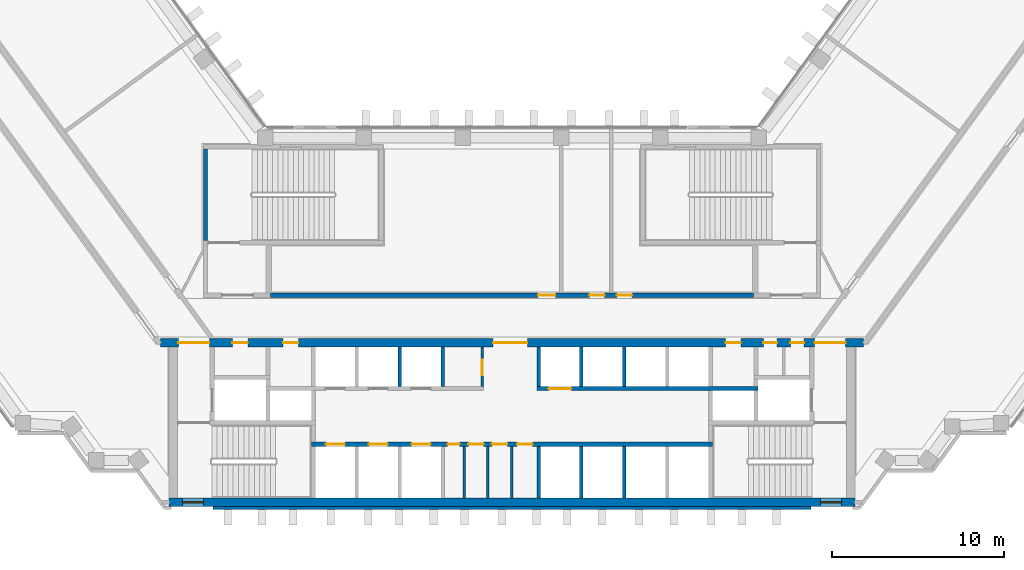
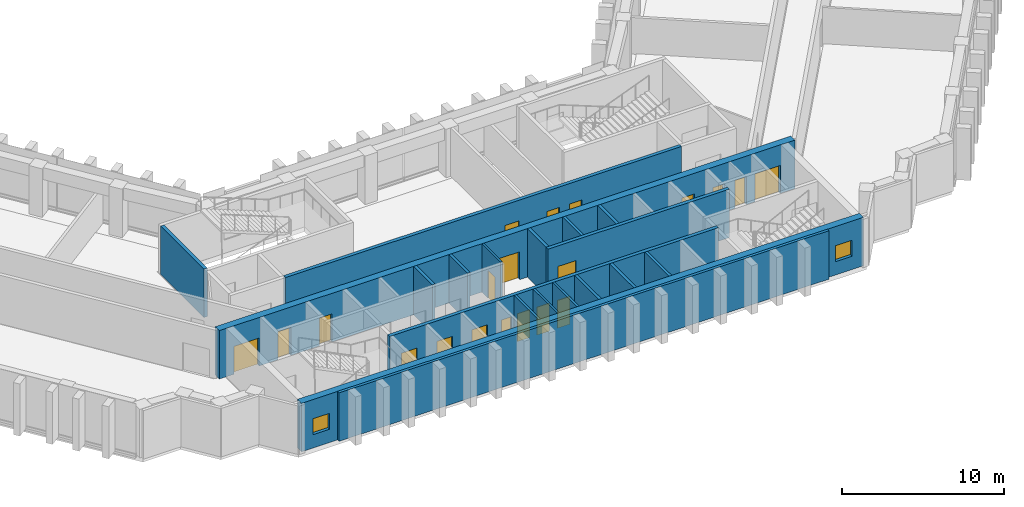
# One storey, part 6 of 12: 20 doors, 19 walls, 2 windows, 22 openings.
"""IFC4 building model written with IfcOpenShell, lengths in metres."""

import ifcopenshell
import ifcopenshell.guid

model = None  # the IFC model being written
_history = None  # IfcOwnerHistory: only IFC2X3 demands one
_inside = {}  # id of a spatial element -> (the spatial element, [elements in it])
_under = {}  # id of a project, library or spatial element -> (it, [spatial elements below it])
_declared = {}  # id of a project -> (the project, [libraries it declares])
_typed = {}  # id of a type object -> (the type object, [elements of that type])
_made_of = {}  # id of a material, layer set ... -> (it, [elements and type objects made of it])


def new_model(schema):
    """Start an empty IFC model of exactly this schema.

    Asked for "IFC4X3", IfcOpenShell would pick the latest addendum, in which some entities
    have other attributes; the version numbers below select the first issue.
    IFC2X3 requires an IfcOwnerHistory on every rooted entity: one is made here for all.
    """
    global model, _history
    if schema == "IFC4X3":
        model = ifcopenshell.file(schema_version=(4, 3, 0, 0))
    else:
        model = ifcopenshell.file(schema=schema)
    _inside.clear()
    _under.clear()
    _declared.clear()
    _typed.clear()
    _made_of.clear()
    _history = None
    if model.schema == "IFC2X3":
        org = make("IfcOrganization", Name="unknown")
        user = make(
            "IfcPersonAndOrganization",
            ThePerson=make("IfcPerson", FamilyName="unknown"),
            TheOrganization=org,
        )
        app = make(
            "IfcApplication",
            ApplicationDeveloper=org,
            Version="unknown",
            ApplicationFullName="unknown",
            ApplicationIdentifier="unknown",
        )
        _history = make(
            "IfcOwnerHistory",
            OwningUser=user,
            OwningApplication=app,
            ChangeAction="ADDED",
            CreationDate=0,
        )
    return model


def make(cls, **values):
    """One entity of the class cls with the attributes given. An attribute that is None is left unset."""
    return model.create_entity(
        cls, **{name: value for name, value in values.items() if value is not None}
    )


def rooted(cls, **values):
    """An entity with a GlobalId (a new one), such as an element, a storey or a relation."""
    return make(cls, GlobalId=ifcopenshell.guid.new(), OwnerHistory=_history, **values)


def si_unit(unit_type, name, prefix=None):
    """IfcSIUnit, for example si_unit("LENGTHUNIT", "METRE", prefix="MILLI")."""
    return make("IfcSIUnit", UnitType=unit_type, Prefix=prefix, Name=name)


def assignment(units):
    """IfcUnitAssignment: the units of a project."""
    return None if units is None else make("IfcUnitAssignment", Units=units)


def point(xyz):
    """IfcCartesianPoint."""
    return None if xyz is None else make("IfcCartesianPoint", Coordinates=xyz)


def direction(xyz):
    """IfcDirection."""
    return None if xyz is None else make("IfcDirection", DirectionRatios=xyz)


def frame(location, z_axis=None, x_axis=None):
    """IfcAxis2Placement3D, a coordinate frame: its origin and axes. An axis left out is left unset."""
    return make(
        "IfcAxis2Placement3D",
        Location=point(location),
        Axis=direction(z_axis),
        RefDirection=direction(x_axis),
    )


def frame_2d(location, x_axis=None):
    """IfcAxis2Placement2D, a coordinate frame in the plane: its origin and x axis."""
    return make(
        "IfcAxis2Placement2D", Location=point(location), RefDirection=direction(x_axis)
    )


def origin():
    """The frame at (0, 0, 0) with its axes left unset."""
    return frame((0.0, 0.0, 0.0))


def place(relative_to, where):
    """IfcLocalPlacement: puts the frame where relative to a parent placement (None: the world)."""
    return make(
        "IfcLocalPlacement", PlacementRelTo=relative_to, RelativePlacement=where
    )


def context(
    kind, dimensions, precision=None, world=None, true_north=None, identifier=None
):
    """IfcGeometricRepresentationContext, for example the 3D "Model" context."""
    return make(
        "IfcGeometricRepresentationContext",
        ContextIdentifier=identifier,
        ContextType=kind,
        CoordinateSpaceDimension=dimensions,
        Precision=precision,
        WorldCoordinateSystem=world,
        TrueNorth=true_north,
    )


def subcontext(parent, identifier, kind, view, scale=None):
    """IfcGeometricRepresentationSubContext, for example "Body" below "Model"."""
    return make(
        "IfcGeometricRepresentationSubContext",
        ContextIdentifier=identifier,
        ContextType=kind,
        ParentContext=parent,
        TargetScale=scale,
        TargetView=view,
    )


def project(units=None, contexts=None):
    """IfcProject with its units and contexts."""
    return rooted(
        "IfcProject",
        Name="project",
        RepresentationContexts=contexts,
        UnitsInContext=assignment(units),
    )


def spatial(cls, under=None, at=None, **own):
    """A site, building, storey or space (cls), placed at a placement, below another one or the project."""
    s = rooted(cls, ObjectPlacement=at, **own)
    if under is not None:
        _under.setdefault(under.id(), (under, []))[1].append(s)
    return s


def profile(cls, at=None, kind="AREA", **sizes):
    """A parametric profile (cls). Its sizes go by their IFC names, for example OverallWidth=200.0."""
    return make(cls, ProfileType=kind, Position=at, **sizes)


def rectangle(**sizes):
    """IfcRectangleProfileDef."""
    return profile("IfcRectangleProfileDef", **sizes)


def extrude(swept, where, along, depth):
    """IfcExtrudedAreaSolid: the profile swept, set in the frame where, extruded along a direction by depth."""
    return make(
        "IfcExtrudedAreaSolid",
        SweptArea=swept,
        Position=where,
        ExtrudedDirection=direction(along),
        Depth=depth,
    )


def shape(context_of_items, identifier, shape_type, items):
    """IfcShapeRepresentation: the items that make up one representation, for example the "Body"."""
    return make(
        "IfcShapeRepresentation",
        ContextOfItems=context_of_items,
        RepresentationIdentifier=identifier,
        RepresentationType=shape_type,
        Items=items,
    )


def material(Name=None, Category=None):
    """IfcMaterial."""
    return make("IfcMaterial", Name=Name, Category=Category)


def layer(
    of_material, thickness, ventilated=None, Name=None, Category=None, Priority=None
):
    """IfcMaterialLayer: one layer of a wall or slab, of a material (None: an air gap)."""
    return make(
        "IfcMaterialLayer",
        Material=of_material,
        LayerThickness=thickness,
        IsVentilated=ventilated,
        Name=Name,
        Category=Category,
        Priority=Priority,
    )


def layer_set(layers, Name=None):
    """IfcMaterialLayerSet."""
    return make("IfcMaterialLayerSet", MaterialLayers=layers, LayerSetName=Name)


def made_of(thing, what):
    """Note that an element or type object is made of a material, layer set ...; save() writes the relation."""
    if what is not None:
        _made_of.setdefault(what.id(), (what, []))[1].append(thing)
    return thing


def type_object(cls, material=None, **own):
    """A type object (cls), such as IfcWallType, which elements share."""
    return made_of(rooted(cls, **own), material)


def element(
    cls,
    number,
    at=None,
    inside=None,
    cuts=None,
    type_object=None,
    material=None,
    context=None,
    identifier="Body",
    shape_type=None,
    held_by="IfcProductDefinitionShape",
    body=None,
    shapes=None,
    **own,
):
    """One element of the class cls, such as IfcWall. Its Tag is "e" and its number.

    at: its placement. inside: the storey or other place that contains it. cuts: it is an
    opening in that element (IfcRelVoidsElement). A single representation is given by context,
    identifier, shape_type and body (its items); several are given by shapes. held_by: the class
    of the entity that holds the representations. save() writes the other relations.
    """
    e = rooted(cls, Tag="e%d" % number, ObjectPlacement=at, **own)
    if body is not None:
        shapes = [shape(context, identifier, shape_type, body)]
    if shapes is not None:
        e.Representation = make(held_by, Representations=shapes)
    if inside is not None:
        _inside.setdefault(inside.id(), (inside, []))[1].append(e)
    if cuts is not None:
        rooted(
            "IfcRelVoidsElement", RelatingBuildingElement=cuts, RelatedOpeningElement=e
        )
    if type_object is not None:
        _typed.setdefault(type_object.id(), (type_object, []))[1].append(e)
    return made_of(e, material)


def fill(opening, filler):
    """IfcRelFillsElement: the door or window that sits in an opening."""
    return rooted(
        "IfcRelFillsElement",
        RelatingOpeningElement=opening,
        RelatedBuildingElement=filler,
    )


def aggregate(whole, parts):
    """IfcRelAggregates: a whole, such as a stair, and the parts it consists of."""
    return rooted("IfcRelAggregates", RelatingObject=whole, RelatedObjects=parts)


def save(model, path):
    """Write the relations noted so far, then the file.

    IfcRelAggregates (storeys below a building ...), IfcRelContainedInSpatialStructure (elements
    in a storey), IfcRelDefinesByType, IfcRelAssociatesMaterial and IfcRelDeclares: one each for
    every whole, place, type object, material and project.
    """
    for whole, parts in _under.values():
        aggregate(whole, parts)
    for where, things in _inside.values():
        rooted(
            "IfcRelContainedInSpatialStructure",
            RelatedElements=things,
            RelatingStructure=where,
        )
    for kind, things in _typed.values():
        rooted("IfcRelDefinesByType", RelatedObjects=things, RelatingType=kind)
    for what, things in _made_of.values():
        rooted("IfcRelAssociatesMaterial", RelatedObjects=things, RelatingMaterial=what)
    for by, libraries in _declared.values():
        rooted("IfcRelDeclares", RelatingContext=by, RelatedDefinitions=libraries)
    model.write(path)


model = new_model("IFC4")

# Units and contexts
model_context = context("Model", 3, precision=1e-05, world=origin(), true_north=direction((0.0, 1.0)))
body_context = subcontext(model_context, "Body", "Model", "MODEL_VIEW")
ifc_project = project(units=[si_unit("LENGTHUNIT", "METRE"), si_unit("AREAUNIT", "SQUARE_METRE"), si_unit("VOLUMEUNIT", "CUBIC_METRE"), si_unit("PLANEANGLEUNIT", "RADIAN"), si_unit("MASSUNIT", "GRAM", prefix="KILO")], contexts=[model_context])

# Site, building, storey
site_placement = place(None, origin())
site = spatial("IfcSite", under=ifc_project, at=site_placement, CompositionType="ELEMENT")
building_placement = place(site_placement, origin())
building = spatial("IfcBuilding", under=site, at=building_placement, Name="Quipu Civic Tower", CompositionType="ELEMENT")
storey_placement = place(building_placement, frame((0.0, 0.0, 121.0)))
storey = spatial("IfcBuildingStorey", under=building, at=storey_placement, Name="L28", CompositionType="ELEMENT", Elevation=121.0)

# Wall, openings, doors
ifc_material_1 = material(Name="Concrete C70/85", Category="concrete")
ifc_layer_1 = layer(ifc_material_1, 0.25)
ifc_layer_set_1 = layer_set([ifc_layer_1], Name="Concrete C70/85")
wall_type_1 = type_object("IfcWallType", Name="Core wall 250", PredefinedType="SHEAR", material=ifc_layer_set_1)
wall_1_placement = place(storey_placement, frame((11.699951171875, -7.375, 0.0), z_axis=(0.0, 0.0, 1.0), x_axis=(-1.0, 0.0, 0.0)))
wall_1 = element("IfcWall", 1, at=wall_1_placement, inside=storey, type_object=wall_type_1, Name="Core wall", PredefinedType="SHEAR", context=body_context, shape_type="SweptSolid", body=[
    extrude(rectangle(XDim=23.39990234375, YDim=0.25, at=frame_2d((11.699951171875, 0.0))), origin(), (0.0, 0.0, 1.0), 3.64990234375),
])
opening_1_placement = place(wall_1_placement, frame((21.449951171875, 0.0, 0.0)))
opening_1 = element("IfcOpeningElement", 2, at=opening_1_placement, cuts=wall_1, Name="Opening LD-LL1", PredefinedType="OPENING", context=body_context, shape_type="SweptSolid", body=[
    extrude(rectangle(XDim=1.10009765625, YDim=2.10009765625, at=frame_2d((0.550048828125, 1.050048828125))), frame((0.0, 0.135009765625, 0.0), z_axis=(0.0, -1.0, 0.0), x_axis=(1.0, 0.0, 0.0)), (0.0, 0.0, 1.0), 0.27001953125),
])
opening_2_placement = place(wall_1_placement, frame((18.949951171875, 0.0, 0.0)))
opening_2 = element("IfcOpeningElement", 3, at=opening_2_placement, cuts=wall_1, Name="Opening LD-LL2", PredefinedType="OPENING", context=body_context, shape_type="SweptSolid", body=[
    extrude(rectangle(XDim=1.10009765625, YDim=2.10009765625, at=frame_2d((0.550048828125, 1.050048828125))), frame((0.0, 0.135009765625, 0.0), z_axis=(0.0, -1.0, 0.0), x_axis=(1.0, 0.0, 0.0)), (0.0, 0.0, 1.0), 0.27001953125),
])
opening_3_placement = place(wall_1_placement, frame((16.449951171875, 0.0, 0.0)))
opening_3 = element("IfcOpeningElement", 4, at=opening_3_placement, cuts=wall_1, Name="Opening LD-LL3", PredefinedType="OPENING", context=body_context, shape_type="SweptSolid", body=[
    extrude(rectangle(XDim=1.10009765625, YDim=2.10009765625, at=frame_2d((0.550048828125, 1.050048828125))), frame((0.0, 0.135009765625, 0.0), z_axis=(0.0, -1.0, 0.0), x_axis=(1.0, 0.0, 0.0)), (0.0, 0.0, 1.0), 0.27001953125),
])
opening_4_placement = place(wall_1_placement, frame((14.75, 0.0, 0.0)))
opening_4 = element("IfcOpeningElement", 5, at=opening_4_placement, cuts=wall_1, Name="Opening CD-01", PredefinedType="OPENING", context=body_context, shape_type="SweptSolid", body=[
    extrude(rectangle(XDim=0.699951171875, YDim=2.10009765625, at=frame_2d((0.35009765625, 1.050048828125))), frame((0.0, 0.135009765625, 0.0), z_axis=(0.0, -1.0, 0.0), x_axis=(1.0, 0.0, 0.0)), (0.0, 0.0, 1.0), 0.27001953125),
])
opening_5_placement = place(wall_1_placement, frame((13.35009765625, 0.0, 0.0)))
opening_5 = element("IfcOpeningElement", 6, at=opening_5_placement, cuts=wall_1, Name="Opening CD-02", PredefinedType="OPENING", context=body_context, shape_type="SweptSolid", body=[
    extrude(rectangle(XDim=0.89990234375, YDim=2.10009765625, at=frame_2d((0.449951171875, 1.050048828125))), frame((0.0, 0.135009765625, 0.0), z_axis=(0.0, -1.0, 0.0), x_axis=(1.0, 0.0, 0.0)), (0.0, 0.0, 1.0), 0.27001953125),
])
opening_6_placement = place(wall_1_placement, frame((11.97509765625, 0.0, 0.0)))
opening_6 = element("IfcOpeningElement", 7, at=opening_6_placement, cuts=wall_1, Name="Opening CD-03", PredefinedType="OPENING", context=body_context, shape_type="SweptSolid", body=[
    extrude(rectangle(XDim=0.89990234375, YDim=2.10009765625, at=frame_2d((0.449951171875, 1.050048828125))), frame((0.0, 0.135009765625, 0.0), z_axis=(0.0, -1.0, 0.0), x_axis=(1.0, 0.0, 0.0)), (0.0, 0.0, 1.0), 0.27001953125),
])
opening_7_placement = place(wall_1_placement, frame((10.5, 0.0, 0.0)))
opening_7 = element("IfcOpeningElement", 8, at=opening_7_placement, cuts=wall_1, Name="Opening CD-04", PredefinedType="OPENING", context=body_context, shape_type="SweptSolid", body=[
    extrude(rectangle(XDim=0.89990234375, YDim=2.10009765625, at=frame_2d((0.449951171875, 1.050048828125))), frame((0.0, 0.135009765625, 0.0), z_axis=(0.0, -1.0, 0.0), x_axis=(1.0, 0.0, 0.0)), (0.0, 0.0, 1.0), 0.27001953125),
])
ifc_material_2 = material(Name="Fire rated steel door", Category="steel")
door_type_1 = type_object("IfcDoorType", Name="Fire door FD60 700 x 2100", OperationType="NOTDEFINED", PredefinedType="DOOR", material=ifc_material_2)
door_1_placement = place(opening_4_placement, origin())
door_1 = element("IfcDoor", 9, at=door_1_placement, inside=storey, type_object=door_type_1, Name="Door", OperationType="SINGLE_SWING_RIGHT", OverallHeight=2.10009765625, OverallWidth=0.699951171875, PredefinedType="DOOR", context=body_context, shape_type="SweptSolid", body=[
    extrude(rectangle(XDim=0.699951171875, YDim=2.10009765625, at=frame_2d((0.35009765625, 1.050048828125))), frame((0.0, 0.02490234375, 0.0), z_axis=(0.0, -1.0, 0.0), x_axis=(1.0, 0.0, 0.0)), (0.0, 0.0, 1.0), 0.050048828125),
])
fill(opening_4, door_1)
ifc_material_3 = material(Name="Fire rated steel door", Category="steel")
door_type_2 = type_object("IfcDoorType", Name="Fire door FD60 900 x 2100", OperationType="NOTDEFINED", PredefinedType="DOOR", material=ifc_material_3)
door_2_placement = place(opening_5_placement, origin())
door_2 = element("IfcDoor", 10, at=door_2_placement, inside=storey, type_object=door_type_2, Name="WC door", OperationType="SINGLE_SWING_RIGHT", OverallHeight=2.10009765625, OverallWidth=0.89990234375, PredefinedType="DOOR", context=body_context, shape_type="SweptSolid", body=[
    extrude(rectangle(XDim=0.89990234375, YDim=2.10009765625, at=frame_2d((0.449951171875, 1.050048828125))), frame((0.0, 0.02490234375, 0.0), z_axis=(0.0, -1.0, 0.0), x_axis=(1.0, 0.0, 0.0)), (0.0, 0.0, 1.0), 0.050048828125),
])
fill(opening_5, door_2)
door_3_placement = place(opening_6_placement, origin())
door_3 = element("IfcDoor", 11, at=door_3_placement, inside=storey, type_object=door_type_2, Name="WC door", OperationType="SINGLE_SWING_RIGHT", OverallHeight=2.10009765625, OverallWidth=0.89990234375, PredefinedType="DOOR", context=body_context, shape_type="SweptSolid", body=[
    extrude(rectangle(XDim=0.89990234375, YDim=2.10009765625, at=frame_2d((0.449951171875, 1.050048828125))), frame((0.0, 0.02490234375, 0.0), z_axis=(0.0, -1.0, 0.0), x_axis=(1.0, 0.0, 0.0)), (0.0, 0.0, 1.0), 0.050048828125),
])
fill(opening_6, door_3)
door_4_placement = place(opening_7_placement, origin())
door_4 = element("IfcDoor", 12, at=door_4_placement, inside=storey, type_object=door_type_2, Name="WC door", OperationType="SINGLE_SWING_LEFT", OverallHeight=2.10009765625, OverallWidth=0.89990234375, PredefinedType="DOOR", context=body_context, shape_type="SweptSolid", body=[
    extrude(rectangle(XDim=0.89990234375, YDim=2.10009765625, at=frame_2d((0.449951171875, 1.050048828125))), frame((0.0, 0.02490234375, 0.0), z_axis=(0.0, -1.0, 0.0), x_axis=(1.0, 0.0, 0.0)), (0.0, 0.0, 1.0), 0.050048828125),
])
fill(opening_7, door_4)
ifc_material_4 = material(Name="Stainless steel", Category="steel")
door_type_3 = type_object("IfcDoorType", Name="Lift landing door 1100 x 2100", OperationType="DOUBLE_DOOR_SLIDING", PredefinedType="DOOR", material=ifc_material_4)
door_5_placement = place(opening_1_placement, origin())
door_5 = element("IfcDoor", 13, at=door_5_placement, inside=storey, type_object=door_type_3, Name="Landing door LL1", OperationType="DOUBLE_DOOR_SLIDING", OverallHeight=2.10009765625, OverallWidth=1.10009765625, PredefinedType="DOOR", context=body_context, shape_type="SweptSolid", body=[
    extrude(rectangle(XDim=1.10009765625, YDim=2.10009765625, at=frame_2d((0.550048828125, 1.050048828125))), frame((0.0, 0.02490234375, 0.0), z_axis=(0.0, -1.0, 0.0), x_axis=(1.0, 0.0, 0.0)), (0.0, 0.0, 1.0), 0.050048828125),
])
fill(opening_1, door_5)
door_6_placement = place(opening_2_placement, origin())
door_6 = element("IfcDoor", 14, at=door_6_placement, inside=storey, type_object=door_type_3, Name="Landing door LL2", OperationType="DOUBLE_DOOR_SLIDING", OverallHeight=2.10009765625, OverallWidth=1.10009765625, PredefinedType="DOOR", context=body_context, shape_type="SweptSolid", body=[
    extrude(rectangle(XDim=1.10009765625, YDim=2.10009765625, at=frame_2d((0.550048828125, 1.050048828125))), frame((0.0, 0.02490234375, 0.0), z_axis=(0.0, -1.0, 0.0), x_axis=(1.0, 0.0, 0.0)), (0.0, 0.0, 1.0), 0.050048828125),
])
fill(opening_2, door_6)
door_7_placement = place(opening_3_placement, origin())
door_7 = element("IfcDoor", 15, at=door_7_placement, inside=storey, type_object=door_type_3, Name="Landing door LL3", OperationType="DOUBLE_DOOR_SLIDING", OverallHeight=2.10009765625, OverallWidth=1.10009765625, PredefinedType="DOOR", context=body_context, shape_type="SweptSolid", body=[
    extrude(rectangle(XDim=1.10009765625, YDim=2.10009765625, at=frame_2d((0.550048828125, 1.050048828125))), frame((0.0, 0.02490234375, 0.0), z_axis=(0.0, -1.0, 0.0), x_axis=(1.0, 0.0, 0.0)), (0.0, 0.0, 1.0), 0.050048828125),
])
fill(opening_3, door_7)

# Wall, opening, door
wall_2_placement = place(storey_placement, frame((1.449951171875, -4.125, 0.0), z_axis=(0.0, 0.0, 1.0), x_axis=(1.0, 0.0, 0.0)))
wall_2 = element("IfcWall", 16, at=wall_2_placement, inside=storey, type_object=wall_type_1, Name="Core wall", PredefinedType="SHEAR", context=body_context, shape_type="SweptSolid", body=[
    extrude(rectangle(XDim=12.900146484375, YDim=0.25, at=frame_2d((6.4501953125, 0.0))), origin(), (0.0, 0.0, 1.0), 3.64990234375),
])
opening_8_placement = place(wall_2_placement, frame((0.699951171875, 0.0, 0.0)))
opening_8 = element("IfcOpeningElement", 17, at=opening_8_placement, cuts=wall_2, Name="Opening LD-FF3", PredefinedType="OPENING", context=body_context, shape_type="SweptSolid", body=[
    extrude(rectangle(XDim=1.300048828125, YDim=2.10009765625, at=frame_2d((0.64990234375, 1.050048828125))), frame((0.0, 0.135009765625, 0.0), z_axis=(0.0, -1.0, 0.0), x_axis=(1.0, 0.0, 0.0)), (0.0, 0.0, 1.0), 0.27001953125),
])
ifc_material_5 = material(Name="Stainless steel", Category="steel")
door_type_4 = type_object("IfcDoorType", Name="Lift landing door 1300 x 2100", OperationType="DOUBLE_DOOR_SLIDING", PredefinedType="DOOR", material=ifc_material_5)
door_8_placement = place(opening_8_placement, origin())
door_8 = element("IfcDoor", 18, at=door_8_placement, inside=storey, type_object=door_type_4, Name="Landing door FF3", OperationType="DOUBLE_DOOR_SLIDING", OverallHeight=2.10009765625, OverallWidth=1.300048828125, PredefinedType="DOOR", context=body_context, shape_type="SweptSolid", body=[
    extrude(rectangle(XDim=1.300048828125, YDim=2.10009765625, at=frame_2d((0.64990234375, 1.050048828125))), frame((0.0, 0.02490234375, 0.0), z_axis=(0.0, -1.0, 0.0), x_axis=(1.0, 0.0, 0.0)), (0.0, 0.0, 1.0), 0.050048828125),
])
fill(opening_8, door_8)

# Wall
wall_3_placement = place(storey_placement, frame((-17.875, 4.5, 0.0), z_axis=(0.0, 0.0, 1.0), x_axis=(0.0, 1.0, 0.0)))
element("IfcWall", 19, at=wall_3_placement, inside=storey, type_object=wall_type_1, Name="Core wall", PredefinedType="SHEAR", context=body_context, shape_type="SweptSolid", body=[
    extrude(rectangle(XDim=5.35009765625, YDim=0.25, at=frame_2d((2.675048828125, 0.0))), origin(), (0.0, 0.0, 1.0), 3.64990234375),
])

# Wall, openings, windows
ifc_material_6 = material(Name="Concrete C70/85", Category="concrete")
ifc_layer_2 = layer(ifc_material_6, 0.5)
ifc_layer_set_2 = layer_set([ifc_layer_2], Name="Concrete C70/85")
wall_type_2 = type_object("IfcWallType", Name="Core wall 500", PredefinedType="SHEAR", material=ifc_layer_set_2)
wall_4_placement = place(storey_placement, frame((-20.0, -10.75, 0.0), z_axis=(0.0, 0.0, 1.0), x_axis=(1.0, 0.0, 0.0)))
wall_4 = element("IfcWall", 20, at=wall_4_placement, inside=storey, type_object=wall_type_2, Name="Core wall", PredefinedType="SHEAR", context=body_context, shape_type="SweptSolid", body=[
    extrude(rectangle(XDim=40.0, YDim=0.5, at=frame_2d((20.0, 0.0))), origin(), (0.0, 0.0, 1.0), 3.64990234375),
])
opening_9_placement = place(wall_4_placement, frame((0.800048828125, 0.0, 1.0)))
opening_9 = element("IfcOpeningElement", 21, at=opening_9_placement, cuts=wall_4, Name="Opening SV-1", PredefinedType="OPENING", context=body_context, shape_type="SweptSolid", body=[
    extrude(rectangle(XDim=1.199951171875, YDim=1.199951171875, at=frame_2d((0.60009765625, 0.60009765625))), frame((0.0, 0.260009765625, 0.0), z_axis=(0.0, -1.0, 0.0), x_axis=(1.0, 0.0, 0.0)), (0.0, 0.0, 1.0), 0.52001953125),
])
opening_10_placement = place(wall_4_placement, frame((38.0, 0.0, 1.0)))
opening_10 = element("IfcOpeningElement", 22, at=opening_10_placement, cuts=wall_4, Name="Opening SV-2", PredefinedType="OPENING", context=body_context, shape_type="SweptSolid", body=[
    extrude(rectangle(XDim=1.199951171875, YDim=1.199951171875, at=frame_2d((0.60009765625, 0.60009765625))), frame((0.0, 0.260009765625, 0.0), z_axis=(0.0, -1.0, 0.0), x_axis=(1.0, 0.0, 0.0)), (0.0, 0.0, 1.0), 0.52001953125),
])
ifc_material_7 = material(Name="Aluminium louvre", Category="aluminium")
window_type = type_object("IfcWindowType", Name="Stair ventilation louvre 1200 x 1200", PartitioningType="SINGLE_PANEL", PredefinedType="WINDOW", material=ifc_material_7)
window_1_placement = place(opening_9_placement, origin())
window_1 = element("IfcWindow", 23, at=window_1_placement, inside=storey, type_object=window_type, Name="Stair ventilation opening", OverallHeight=1.199951171875, OverallWidth=1.199951171875, PartitioningType="SINGLE_PANEL", PredefinedType="WINDOW", context=body_context, shape_type="SweptSolid", body=[
    extrude(rectangle(XDim=1.199951171875, YDim=1.199951171875, at=frame_2d((0.60009765625, 0.60009765625))), frame((0.0, 0.030029296875, 0.0), z_axis=(0.0, -1.0, 0.0), x_axis=(1.0, 0.0, 0.0)), (0.0, 0.0, 1.0), 0.06005859375),
])
fill(opening_9, window_1)
window_2_placement = place(opening_10_placement, origin())
window_2 = element("IfcWindow", 24, at=window_2_placement, inside=storey, type_object=window_type, Name="Stair ventilation opening", OverallHeight=1.199951171875, OverallWidth=1.199951171875, PartitioningType="SINGLE_PANEL", PredefinedType="WINDOW", context=body_context, shape_type="SweptSolid", body=[
    extrude(rectangle(XDim=1.199951171875, YDim=1.199951171875, at=frame_2d((0.60009765625, 0.60009765625))), frame((0.0, 0.030029296875, 0.0), z_axis=(0.0, -1.0, 0.0), x_axis=(1.0, 0.0, 0.0)), (0.0, 0.0, 1.0), 0.06005859375),
])
fill(opening_10, window_2)

# Wall, openings, doors
wall_5_placement = place(storey_placement, frame((20.489990234375, -1.449951171875, 0.0), z_axis=(0.0, 0.0, 1.0), x_axis=(-1.0, 0.0, 0.0)))
wall_5 = element("IfcWall", 25, at=wall_5_placement, inside=storey, type_object=wall_type_2, Name="Core wall", PredefinedType="SHEAR", context=body_context, shape_type="SweptSolid", body=[
    extrude(rectangle(XDim=40.97998046875, YDim=0.5, at=frame_2d((20.489990234375, 0.0))), origin(), (0.0, 0.0, 1.0), 3.64990234375),
])
opening_11_placement = place(wall_5_placement, frame((38.139892578125, 0.0, 0.0)))
opening_11 = element("IfcOpeningElement", 26, at=opening_11_placement, cuts=wall_5, Name="Opening CD-08", PredefinedType="OPENING", context=body_context, shape_type="SweptSolid", body=[
    extrude(rectangle(XDim=1.800048828125, YDim=2.10009765625, at=frame_2d((0.89990234375, 1.050048828125))), frame((0.0, 0.260009765625, 0.0), z_axis=(0.0, -1.0, 0.0), x_axis=(1.0, 0.0, 0.0)), (0.0, 0.0, 1.0), 0.52001953125),
])
opening_12_placement = place(wall_5_placement, frame((35.889892578125, 0.0, 0.0)))
opening_12 = element("IfcOpeningElement", 27, at=opening_12_placement, cuts=wall_5, Name="Opening CD-09", PredefinedType="OPENING", context=body_context, shape_type="SweptSolid", body=[
    extrude(rectangle(XDim=0.89990234375, YDim=2.10009765625, at=frame_2d((0.449951171875, 1.050048828125))), frame((0.0, 0.260009765625, 0.0), z_axis=(0.0, -1.0, 0.0), x_axis=(1.0, 0.0, 0.0)), (0.0, 0.0, 1.0), 0.52001953125),
])
opening_13_placement = place(wall_5_placement, frame((32.93994140625, 0.0, 0.0)))
opening_13 = element("IfcOpeningElement", 28, at=opening_13_placement, cuts=wall_5, Name="Opening CD-10", PredefinedType="OPENING", context=body_context, shape_type="SweptSolid", body=[
    extrude(rectangle(XDim=0.89990234375, YDim=2.10009765625, at=frame_2d((0.449951171875, 1.050048828125))), frame((0.0, 0.260009765625, 0.0), z_axis=(0.0, -1.0, 0.0), x_axis=(1.0, 0.0, 0.0)), (0.0, 0.0, 1.0), 0.52001953125),
])
opening_14_placement = place(wall_5_placement, frame((19.590087890625, 0.0, 0.0)))
opening_14 = element("IfcOpeningElement", 29, at=opening_14_placement, cuts=wall_5, Name="Opening CD-11", PredefinedType="OPENING", context=body_context, shape_type="SweptSolid", body=[
    extrude(rectangle(XDim=2.0, YDim=2.10009765625, at=frame_2d((1.0, 1.050048828125))), frame((0.0, 0.260009765625, 0.0), z_axis=(0.0, -1.0, 0.0), x_axis=(1.0, 0.0, 0.0)), (0.0, 0.0, 1.0), 0.52001953125),
])
opening_15_placement = place(wall_5_placement, frame((7.139892578125, 0.0, 0.0)))
opening_15 = element("IfcOpeningElement", 30, at=opening_15_placement, cuts=wall_5, Name="Opening CD-12", PredefinedType="OPENING", context=body_context, shape_type="SweptSolid", body=[
    extrude(rectangle(XDim=0.89990234375, YDim=2.10009765625, at=frame_2d((0.449951171875, 1.050048828125))), frame((0.0, 0.260009765625, 0.0), z_axis=(0.0, -1.0, 0.0), x_axis=(1.0, 0.0, 0.0)), (0.0, 0.0, 1.0), 0.52001953125),
])
opening_16_placement = place(wall_5_placement, frame((5.027587890625, 0.0, 0.0)))
opening_16 = element("IfcOpeningElement", 31, at=opening_16_placement, cuts=wall_5, Name="Opening CD-13", PredefinedType="OPENING", context=body_context, shape_type="SweptSolid", body=[
    extrude(rectangle(XDim=0.800048828125, YDim=2.10009765625, at=frame_2d((0.39990234375, 1.050048828125))), frame((0.0, 0.260009765625, 0.0), z_axis=(0.0, -1.0, 0.0), x_axis=(1.0, 0.0, 0.0)), (0.0, 0.0, 1.0), 0.52001953125),
])
opening_17_placement = place(wall_5_placement, frame((3.452392578125, 0.0, 0.0)))
opening_17 = element("IfcOpeningElement", 32, at=opening_17_placement, cuts=wall_5, Name="Opening CD-14", PredefinedType="OPENING", context=body_context, shape_type="SweptSolid", body=[
    extrude(rectangle(XDim=0.800048828125, YDim=2.10009765625, at=frame_2d((0.39990234375, 1.050048828125))), frame((0.0, 0.260009765625, 0.0), z_axis=(0.0, -1.0, 0.0), x_axis=(1.0, 0.0, 0.0)), (0.0, 0.0, 1.0), 0.52001953125),
])
opening_18_placement = place(wall_5_placement, frame((1.0400390625, 0.0, 0.0)))
opening_18 = element("IfcOpeningElement", 33, at=opening_18_placement, cuts=wall_5, Name="Opening CD-15", PredefinedType="OPENING", context=body_context, shape_type="SweptSolid", body=[
    extrude(rectangle(XDim=1.800048828125, YDim=2.10009765625, at=frame_2d((0.89990234375, 1.050048828125))), frame((0.0, 0.260009765625, 0.0), z_axis=(0.0, -1.0, 0.0), x_axis=(1.0, 0.0, 0.0)), (0.0, 0.0, 1.0), 0.52001953125),
])
ifc_material_8 = material(Name="Fire rated steel door", Category="steel")
door_type_5 = type_object("IfcDoorType", Name="Fire door FD60 800 x 2100", OperationType="NOTDEFINED", PredefinedType="DOOR", material=ifc_material_8)
door_9_placement = place(opening_16_placement, origin())
door_9 = element("IfcDoor", 34, at=door_9_placement, inside=storey, type_object=door_type_5, Name="Door", OperationType="SINGLE_SWING_LEFT", OverallHeight=2.10009765625, OverallWidth=0.800048828125, PredefinedType="DOOR", context=body_context, shape_type="SweptSolid", body=[
    extrude(rectangle(XDim=0.800048828125, YDim=2.10009765625, at=frame_2d((0.39990234375, 1.050048828125))), frame((0.0, 0.02490234375, 0.0), z_axis=(0.0, -1.0, 0.0), x_axis=(1.0, 0.0, 0.0)), (0.0, 0.0, 1.0), 0.050048828125),
])
fill(opening_16, door_9)
door_10_placement = place(opening_17_placement, origin())
door_10 = element("IfcDoor", 35, at=door_10_placement, inside=storey, type_object=door_type_5, Name="Door", OperationType="SINGLE_SWING_LEFT", OverallHeight=2.10009765625, OverallWidth=0.800048828125, PredefinedType="DOOR", context=body_context, shape_type="SweptSolid", body=[
    extrude(rectangle(XDim=0.800048828125, YDim=2.10009765625, at=frame_2d((0.39990234375, 1.050048828125))), frame((0.0, 0.02490234375, 0.0), z_axis=(0.0, -1.0, 0.0), x_axis=(1.0, 0.0, 0.0)), (0.0, 0.0, 1.0), 0.050048828125),
])
fill(opening_17, door_10)
door_11_placement = place(opening_12_placement, origin())
door_11 = element("IfcDoor", 36, at=door_11_placement, inside=storey, type_object=door_type_2, Name="Door", OperationType="SINGLE_SWING_RIGHT", OverallHeight=2.10009765625, OverallWidth=0.89990234375, PredefinedType="DOOR", context=body_context, shape_type="SweptSolid", body=[
    extrude(rectangle(XDim=0.89990234375, YDim=2.10009765625, at=frame_2d((0.449951171875, 1.050048828125))), frame((0.0, 0.02490234375, 0.0), z_axis=(0.0, -1.0, 0.0), x_axis=(1.0, 0.0, 0.0)), (0.0, 0.0, 1.0), 0.050048828125),
])
fill(opening_12, door_11)
door_12_placement = place(opening_13_placement, origin())
door_12 = element("IfcDoor", 37, at=door_12_placement, inside=storey, type_object=door_type_2, Name="Riser door", OperationType="SINGLE_SWING_RIGHT", OverallHeight=2.10009765625, OverallWidth=0.89990234375, PredefinedType="DOOR", context=body_context, shape_type="SweptSolid", body=[
    extrude(rectangle(XDim=0.89990234375, YDim=2.10009765625, at=frame_2d((0.449951171875, 1.050048828125))), frame((0.0, 0.02490234375, 0.0), z_axis=(0.0, -1.0, 0.0), x_axis=(1.0, 0.0, 0.0)), (0.0, 0.0, 1.0), 0.050048828125),
])
fill(opening_13, door_12)
door_13_placement = place(opening_15_placement, origin())
door_13 = element("IfcDoor", 38, at=door_13_placement, inside=storey, type_object=door_type_2, Name="Riser door", OperationType="SINGLE_SWING_LEFT", OverallHeight=2.10009765625, OverallWidth=0.89990234375, PredefinedType="DOOR", context=body_context, shape_type="SweptSolid", body=[
    extrude(rectangle(XDim=0.89990234375, YDim=2.10009765625, at=frame_2d((0.449951171875, 1.050048828125))), frame((0.0, 0.02490234375, 0.0), z_axis=(0.0, -1.0, 0.0), x_axis=(1.0, 0.0, 0.0)), (0.0, 0.0, 1.0), 0.050048828125),
])
fill(opening_15, door_13)
ifc_material_9 = material(Name="Fire rated steel door", Category="steel")
door_type_6 = type_object("IfcDoorType", Name="Fire door FD90 double 1800 x 2100", OperationType="NOTDEFINED", PredefinedType="DOOR", material=ifc_material_9)
door_14_placement = place(opening_11_placement, origin())
door_14 = element("IfcDoor", 39, at=door_14_placement, inside=storey, type_object=door_type_6, Name="Lobby door", OperationType="DOUBLE_DOOR_SINGLE_SWING", OverallHeight=2.10009765625, OverallWidth=1.800048828125, PredefinedType="DOOR", context=body_context, shape_type="SweptSolid", body=[
    extrude(rectangle(XDim=1.800048828125, YDim=2.10009765625, at=frame_2d((0.89990234375, 1.050048828125))), frame((0.0, 0.02490234375, 0.0), z_axis=(0.0, -1.0, 0.0), x_axis=(1.0, 0.0, 0.0)), (0.0, 0.0, 1.0), 0.050048828125),
])
fill(opening_11, door_14)
door_15_placement = place(opening_18_placement, origin())
door_15 = element("IfcDoor", 40, at=door_15_placement, inside=storey, type_object=door_type_6, Name="Lobby door", OperationType="DOUBLE_DOOR_SINGLE_SWING", OverallHeight=2.10009765625, OverallWidth=1.800048828125, PredefinedType="DOOR", context=body_context, shape_type="SweptSolid", body=[
    extrude(rectangle(XDim=1.800048828125, YDim=2.10009765625, at=frame_2d((0.89990234375, 1.050048828125))), frame((0.0, 0.02490234375, 0.0), z_axis=(0.0, -1.0, 0.0), x_axis=(1.0, 0.0, 0.0)), (0.0, 0.0, 1.0), 0.050048828125),
])
fill(opening_18, door_15)
ifc_material_10 = material(Name="Fire rated steel door", Category="steel")
door_type_7 = type_object("IfcDoorType", Name="Fire door FD90 double 2000 x 2100", OperationType="NOTDEFINED", PredefinedType="DOOR", material=ifc_material_10)
door_16_placement = place(opening_14_placement, origin())
door_16 = element("IfcDoor", 41, at=door_16_placement, inside=storey, type_object=door_type_7, Name="Lobby door", OperationType="DOUBLE_DOOR_SINGLE_SWING", OverallHeight=2.10009765625, OverallWidth=2.0, PredefinedType="DOOR", context=body_context, shape_type="SweptSolid", body=[
    extrude(rectangle(XDim=2.0, YDim=2.10009765625, at=frame_2d((1.0, 1.050048828125))), frame((0.0, 0.02490234375, 0.0), z_axis=(0.0, -1.0, 0.0), x_axis=(1.0, 0.0, 0.0)), (0.0, 0.0, 1.0), 0.050048828125),
])
fill(opening_14, door_16)

ifc_material_11 = material(Name="Concrete C50/60", Category="concrete")
ifc_layer_3 = layer(ifc_material_11, 0.25)
ifc_layer_set_3 = layer_set([ifc_layer_3], Name="Concrete C50/60")
wall_type_3 = type_object("IfcWallType", Name="Corridor wall 250 concrete", PredefinedType="SOLIDWALL", material=ifc_layer_set_3)
wall_6_placement = place(storey_placement, frame((-14.090087890625, 1.324951171875, 0.0), z_axis=(0.0, 0.0, 1.0), x_axis=(1.0, 0.0, 0.0)))
wall_6 = element("IfcWall", 42, at=wall_6_placement, inside=storey, type_object=wall_type_3, Name="Corridor wall C04", PredefinedType="SOLIDWALL", context=body_context, shape_type="SweptSolid", body=[
    extrude(rectangle(XDim=28.18017578125, YDim=0.25, at=frame_2d((14.090087890625, 0.0))), origin(), (0.0, 0.0, 1.0), 3.64990234375),
])
opening_19_placement = place(wall_6_placement, frame((20.197998046875, 0.0, 0.0)))
opening_19 = element("IfcOpeningElement", 43, at=opening_19_placement, cuts=wall_6, Name="Opening D008", PredefinedType="OPENING", context=body_context, shape_type="SweptSolid", body=[
    extrude(rectangle(XDim=0.89990234375, YDim=2.10009765625, at=frame_2d((0.449951171875, 1.050048828125))), frame((0.0, 0.135009765625, 0.0), z_axis=(0.0, -1.0, 0.0), x_axis=(1.0, 0.0, 0.0)), (0.0, 0.0, 1.0), 0.27001953125),
])
opening_20_placement = place(wall_6_placement, frame((15.618896484375, 0.0, 0.0)))
opening_20 = element("IfcOpeningElement", 44, at=opening_20_placement, cuts=wall_6, Name="Opening D006", PredefinedType="OPENING", context=body_context, shape_type="SweptSolid", body=[
    extrude(rectangle(XDim=1.0, YDim=2.10009765625, at=frame_2d((0.5, 1.050048828125))), frame((0.0, 0.135009765625, 0.0), z_axis=(0.0, -1.0, 0.0), x_axis=(1.0, 0.0, 0.0)), (0.0, 0.0, 1.0), 0.27001953125),
])
opening_21_placement = place(wall_6_placement, frame((18.597900390625, 0.0, 0.0)))
opening_21 = element("IfcOpeningElement", 45, at=opening_21_placement, cuts=wall_6, Name="Opening D007", PredefinedType="OPENING", context=body_context, shape_type="SweptSolid", body=[
    extrude(rectangle(XDim=0.89990234375, YDim=2.10009765625, at=frame_2d((0.449951171875, 1.050048828125))), frame((0.0, 0.135009765625, 0.0), z_axis=(0.0, -1.0, 0.0), x_axis=(1.0, 0.0, 0.0)), (0.0, 0.0, 1.0), 0.27001953125),
])
ifc_material_12 = material(Name="Fire rated timber door set with metal frame", Category="wood")
door_type_8 = type_object("IfcDoorType", Name="Single door 1000 x 2100 FD60", OperationType="NOTDEFINED", PredefinedType="DOOR", material=ifc_material_12)
door_17_placement = place(opening_20_placement, origin())
door_17 = element("IfcDoor", 46, at=door_17_placement, inside=storey, type_object=door_type_8, Name="Door D006", OperationType="SINGLE_SWING_RIGHT", OverallHeight=2.10009765625, OverallWidth=1.0, PredefinedType="DOOR", context=body_context, shape_type="SweptSolid", body=[
    extrude(rectangle(XDim=1.0, YDim=2.10009765625, at=frame_2d((0.5, 1.050048828125))), frame((0.0, 0.02490234375, 0.0), z_axis=(0.0, -1.0, 0.0), x_axis=(1.0, 0.0, 0.0)), (0.0, 0.0, 1.0), 0.050048828125),
])
fill(opening_20, door_17)
ifc_material_13 = material(Name="Fire rated timber door set with metal frame", Category="wood")
door_type_9 = type_object("IfcDoorType", Name="Single door 900 x 2100 FD60", OperationType="NOTDEFINED", PredefinedType="DOOR", material=ifc_material_13)
door_18_placement = place(opening_19_placement, origin())
door_18 = element("IfcDoor", 47, at=door_18_placement, inside=storey, type_object=door_type_9, Name="Door D008", OperationType="SINGLE_SWING_LEFT", OverallHeight=2.10009765625, OverallWidth=0.89990234375, PredefinedType="DOOR", context=body_context, shape_type="SweptSolid", body=[
    extrude(rectangle(XDim=0.89990234375, YDim=2.10009765625, at=frame_2d((0.449951171875, 1.050048828125))), frame((0.0, 0.02490234375, 0.0), z_axis=(0.0, -1.0, 0.0), x_axis=(1.0, 0.0, 0.0)), (0.0, 0.0, 1.0), 0.050048828125),
])
fill(opening_19, door_18)
door_19_placement = place(opening_21_placement, origin())
door_19 = element("IfcDoor", 48, at=door_19_placement, inside=storey, type_object=door_type_9, Name="Door D007", OperationType="SINGLE_SWING_RIGHT", OverallHeight=2.10009765625, OverallWidth=0.89990234375, PredefinedType="DOOR", context=body_context, shape_type="SweptSolid", body=[
    extrude(rectangle(XDim=0.89990234375, YDim=2.10009765625, at=frame_2d((0.449951171875, 1.050048828125))), frame((0.0, 0.02490234375, 0.0), z_axis=(0.0, -1.0, 0.0), x_axis=(1.0, 0.0, 0.0)), (0.0, 0.0, 1.0), 0.050048828125),
])
fill(opening_21, door_19)

# Walls
ifc_material_14 = material(Name="Gypsum board partition")
ifc_layer_4 = layer(ifc_material_14, 0.14990234375)
ifc_layer_set_4 = layer_set([ifc_layer_4], Name="Gypsum board partition")
wall_type_4 = type_object("IfcWallType", Name="Partition 150", PredefinedType="PARTITIONING", material=ifc_layer_set_4)
for number, where, z_axis, x_axis, name in (
    (49, (-2.77490234375, -10.5, 0.0), (0.0, 0.0, 1.0), (0.0, 1.0, 0.0), "Partition"),
    (50, (-1.425048828125, -10.5, 0.0), (0.0, 0.0, 1.0), (0.0, 1.0, 0.0), "Partition"),
    (51, (-0.02490234375, -10.5, 0.0), (0.0, 0.0, 1.0), (0.0, 1.0, 0.0), "Partition"),
):
    element("IfcWall", number, at=place(storey_placement, frame(where, z_axis=z_axis, x_axis=x_axis)), inside=storey, type_object=wall_type_4, Name=name, PredefinedType="PARTITIONING", context=body_context, shape_type="SweptSolid", body=[
        extrude(rectangle(XDim=3.0, YDim=0.14990234375, at=frame_2d((1.5, 0.0))), origin(), (0.0, 0.0, 1.0), 3.64990234375),
    ])

# Wall, opening, door
wall_7_placement = place(storey_placement, frame((-1.72509765625, -1.699951171875, 0.0), z_axis=(0.0, 0.0, 1.0), x_axis=(0.0, -1.0, 0.0)))
wall_7 = element("IfcWall", 52, at=wall_7_placement, inside=storey, type_object=wall_type_4, Name="Partition", PredefinedType="PARTITIONING", context=body_context, shape_type="SweptSolid", body=[
    extrude(rectangle(XDim=2.300048828125, YDim=0.14990234375, at=frame_2d((1.14990234375, 0.0))), origin(), (0.0, 0.0, 1.0), 3.64990234375),
])
opening_22_placement = place(wall_7_placement, frame((0.75, 0.0, 0.0)))
opening_22 = element("IfcOpeningElement", 53, at=opening_22_placement, cuts=wall_7, Name="Opening CD-07", PredefinedType="OPENING", context=body_context, shape_type="SweptSolid", body=[
    extrude(rectangle(XDim=0.89990234375, YDim=2.10009765625, at=frame_2d((0.449951171875, 1.050048828125))), frame((0.0, 0.0849609375, 0.0), z_axis=(0.0, -1.0, 0.0), x_axis=(1.0, 0.0, 0.0)), (0.0, 0.0, 1.0), 0.169921875),
])
door_20_placement = place(opening_22_placement, origin())
door_20 = element("IfcDoor", 54, at=door_20_placement, inside=storey, type_object=door_type_2, Name="WC door", OperationType="SINGLE_SWING_RIGHT", OverallHeight=2.10009765625, OverallWidth=0.89990234375, PredefinedType="DOOR", context=body_context, shape_type="SweptSolid", body=[
    extrude(rectangle(XDim=0.89990234375, YDim=2.10009765625, at=frame_2d((0.449951171875, 1.050048828125))), frame((0.0, 0.02490234375, 0.0), z_axis=(0.0, -1.0, 0.0), x_axis=(1.0, 0.0, 0.0)), (0.0, 0.0, 1.0), 0.050048828125),
])
fill(opening_22, door_20)

# Walls
ifc_material_15 = material(Name="Precast concrete C40/50", Category="concrete")
wall_type_5 = type_object("IfcWallType", Name="Precast cladding wall", PredefinedType="SOLIDWALL", material=ifc_material_15)
wall_8_placement = place(storey_placement, frame((-17.44384765625, -11.087890625, 0.0), z_axis=(0.0, 0.0, 1.0), x_axis=(1.0, 0.0, 0.0)))
element("IfcWall", 55, at=wall_8_placement, inside=storey, type_object=wall_type_5, Name="Precast cladding wall L28 17", PredefinedType="SOLIDWALL", context=body_context, shape_type="SweptSolid", body=[
    extrude(rectangle(XDim=34.8876953125, YDim=0.199951171875, at=frame_2d((17.44384765625, 0.0))), origin(), (0.0, 0.0, 1.0), 3.64990234375),
])
ifc_material_16 = material(Name="Concrete C40/50", Category="concrete")
ifc_layer_5 = layer(ifc_material_16, 0.199951171875)
ifc_layer_set_5 = layer_set([ifc_layer_5], Name="Concrete C40/50")
wall_type_6 = type_object("IfcWallType", Name="Shaft wall 200", PredefinedType="SOLIDWALL", material=ifc_layer_set_5)
for number, where, z_axis, x_axis, name in (
    (56, (1.550048828125, -10.5, 0.0), (0.0, 0.0, 1.0), (0.0, 1.0, 0.0), "Shaft wall"),
    (57, (4.050048828125, -10.5, 0.0), (0.0, 0.0, 1.0), (0.0, 1.0, 0.0), "Shaft wall"),
    (58, (6.550048828125, -10.5, 0.0), (0.0, 0.0, 1.0), (0.0, 1.0, 0.0), "Shaft wall"),
):
    element("IfcWall", number, at=place(storey_placement, frame(where, z_axis=z_axis, x_axis=x_axis)), inside=storey, type_object=wall_type_6, Name=name, PredefinedType="SOLIDWALL", context=body_context, shape_type="SweptSolid", body=[
        extrude(rectangle(XDim=3.0, YDim=0.199951171875, at=frame_2d((1.5, 0.0))), origin(), (0.0, 0.0, 1.0), 3.64990234375),
    ])
for number, where, z_axis, x_axis, name in (
    (59, (-6.550048828125, -4.0, 0.0), (0.0, 0.0, 1.0), (0.0, 1.0, 0.0), "Shaft wall"),
    (60, (-4.050048828125, -4.0, 0.0), (0.0, 0.0, 1.0), (0.0, 1.0, 0.0), "Shaft wall"),
    (61, (1.550048828125, -4.0, 0.0), (0.0, 0.0, 1.0), (0.0, 1.0, 0.0), "Shaft wall"),
    (62, (4.050048828125, -4.0, 0.0), (0.0, 0.0, 1.0), (0.0, 1.0, 0.0), "Shaft wall"),
    (63, (6.550048828125, -4.0, 0.0), (0.0, 0.0, 1.0), (0.0, 1.0, 0.0), "Shaft wall"),
):
    element("IfcWall", number, at=place(storey_placement, frame(where, z_axis=z_axis, x_axis=x_axis)), inside=storey, type_object=wall_type_6, Name=name, PredefinedType="SOLIDWALL", context=body_context, shape_type="SweptSolid", body=[
        extrude(rectangle(XDim=2.300048828125, YDim=0.199951171875, at=frame_2d((1.14990234375, 0.0))), origin(), (0.0, 0.0, 1.0), 3.64990234375),
    ])

save(model, "model.ifc")
